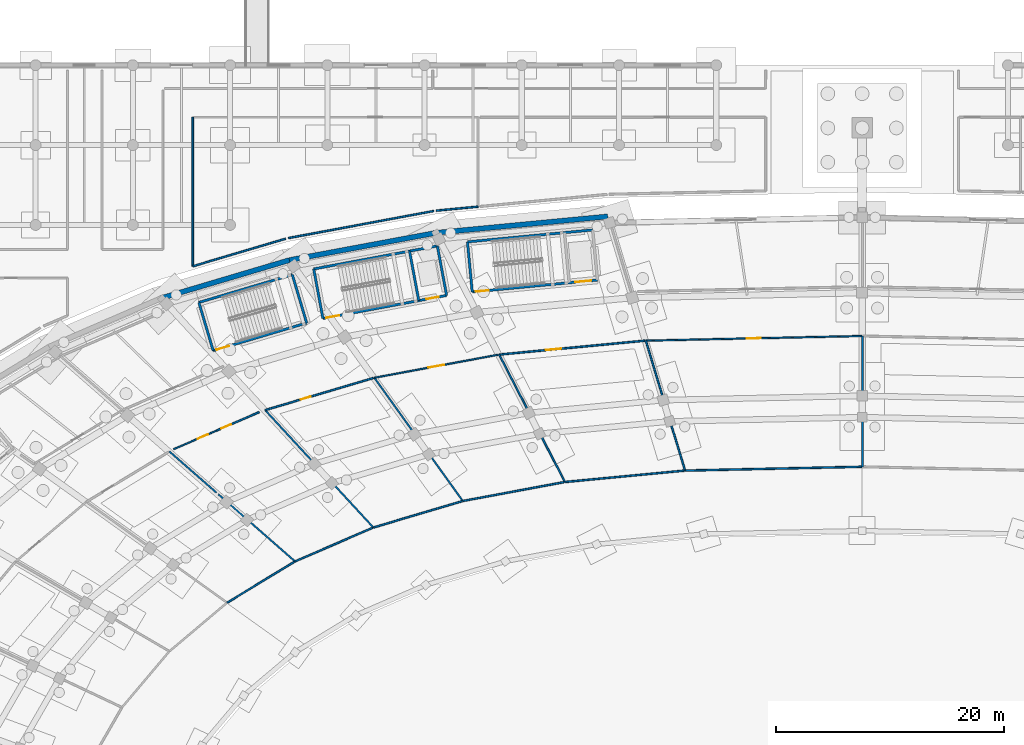
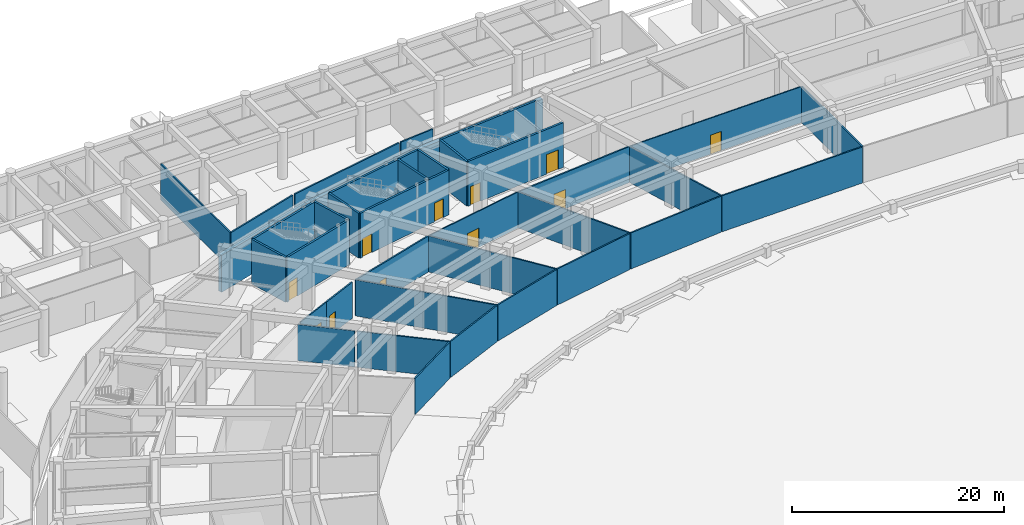
# One storey, part 58 of 88: 38 walls, 11 doors, 11 openings.
"""IFC4 building model written with IfcOpenShell, lengths in metres."""

from ifc_helpers import new_model, si_unit, direction, frame, frame_2d, origin, place, context, subcontext, project, spatial, rectangle, extrude, material, layer, layer_set, type_object, element, fill, save


model = new_model("IFC4")

# Units and contexts
model_context = context("Model", 3, precision=1e-05, world=origin(), true_north=direction((0.0, 1.0)))
body_context = subcontext(model_context, "Body", "Model", "MODEL_VIEW")
ifc_project = project(units=[si_unit("LENGTHUNIT", "METRE"), si_unit("AREAUNIT", "SQUARE_METRE"), si_unit("VOLUMEUNIT", "CUBIC_METRE"), si_unit("PLANEANGLEUNIT", "RADIAN"), si_unit("MASSUNIT", "GRAM", prefix="KILO")], contexts=[model_context])

# Site, building, storey
site_placement = place(None, origin())
site = spatial("IfcSite", under=ifc_project, at=site_placement, CompositionType="ELEMENT")
building_placement = place(site_placement, origin())
building = spatial("IfcBuilding", under=site, at=building_placement, Name="Mphavela Belvedere Stadium", CompositionType="ELEMENT")
storey_placement = place(building_placement, origin())
storey = spatial("IfcBuildingStorey", under=building, at=storey_placement, Name="L00", CompositionType="ELEMENT", Elevation=0.0)

# Walls
ifc_material_1 = material(Name="Concrete C40/50", Category="concrete")
ifc_layer_1 = layer(ifc_material_1, 0.219970703125)
ifc_layer_set_1 = layer_set([ifc_layer_1], Name="Concrete C40/50")
wall_type_1 = type_object("IfcWallType", Name="WAL-CORE-SHEAR-220", PredefinedType="SHEAR", material=ifc_layer_set_1)
wall_1_placement = place(storey_placement, frame((66.955322265625, 156.146728515625, 0.0), z_axis=(0.0, 0.0, 1.0), x_axis=(0.983093434234, 0.183104613723, 0.0)))
element("IfcWall", 1, at=wall_1_placement, inside=storey, type_object=wall_type_1, Name="Core C02 shear wall L00 rear", PredefinedType="SHEAR", context=body_context, shape_type="SweptSolid", body=[
    extrude(rectangle(XDim=11.02001953125, YDim=0.219970703125, at=frame_2d((5.510009765625, 0.0))), origin(), (0.0, 0.0, 1.0), 5.14990234375),
])
for number, where, z_axis, x_axis, name in (
    (2, (67.7626953125, 151.811279296875, 0.0), (0.0, 0.0, 1.0), (-0.183078394814, 0.983098317236, 0.0), "Core C02 shear wall L00 left"),
    (3, (78.596435546875, 153.8291015625, 0.0), (0.0, 0.0, 1.0), (-0.183078394814, 0.983098317236, 0.0), "Core C02 shear wall L00 right"),
):
    element("IfcWall", number, at=place(storey_placement, frame(where, z_axis=z_axis, x_axis=x_axis)), inside=storey, type_object=wall_type_1, Name=name, PredefinedType="SHEAR", context=body_context, shape_type="SweptSolid", body=[
        extrude(rectangle(XDim=4.409912109375, YDim=0.219970703125, at=frame_2d((2.205078125, 0.0))), origin(), (0.0, 0.0, 1.0), 5.14990234375),
    ])

# Wall, openings, doors
wall_2_placement = place(storey_placement, frame((67.7626953125, 151.811279296875, 0.0), z_axis=(0.0, 0.0, 1.0), x_axis=(0.983093434234, 0.183104613723, 0.0)))
wall_2 = element("IfcWall", 4, at=wall_2_placement, inside=storey, type_object=wall_type_1, Name="Core C02 shear wall L00 front", PredefinedType="SHEAR", context=body_context, shape_type="SweptSolid", body=[
    extrude(rectangle(XDim=11.02001953125, YDim=0.219970703125, at=frame_2d((5.510009765625, 0.0))), origin(), (0.0, 0.0, 1.0), 5.14990234375),
])
opening_1_placement = place(wall_2_placement, frame((0.300048828125, 0.0, 0.0)))
opening_1 = element("IfcOpeningElement", 5, at=opening_1_placement, cuts=wall_2, Name="Opening SD-006", PredefinedType="OPENING", context=body_context, shape_type="SweptSolid", body=[
    extrude(rectangle(XDim=1.14990234375, YDim=2.14990234375, at=frame_2d((0.574951171875, 1.074951171875))), frame((0.0, 0.1201171875, 0.0), z_axis=(0.0, -1.0, 0.0), x_axis=(1.0, 0.0, 0.0)), (0.0, 0.0, 1.0), 0.239990234375),
])
opening_2_placement = place(wall_2_placement, frame((9.22998046875, 0.0, 0.0)))
opening_2 = element("IfcOpeningElement", 6, at=opening_2_placement, cuts=wall_2, Name="Opening LD-006", PredefinedType="OPENING", context=body_context, shape_type="SweptSolid", body=[
    extrude(rectangle(XDim=1.10009765625, YDim=2.14990234375, at=frame_2d((0.550048828125, 1.074951171875))), frame((0.0, 0.1201171875, 0.0), z_axis=(0.0, -1.0, 0.0), x_axis=(1.0, 0.0, 0.0)), (0.0, 0.0, 1.0), 0.239990234375),
])
ifc_material_2 = material(Name="Stainless steel center-parting lift landing door", Category="steel")
door_type_1 = type_object("IfcDoorType", Name="DR-LIFT-SLIDE-1100", OperationType="NOTDEFINED", PredefinedType="DOOR", material=ifc_material_2)
door_1_placement = place(opening_2_placement, origin())
door_1 = element("IfcDoor", 7, at=door_1_placement, inside=storey, type_object=door_type_1, Name="Lift landing sliding door PL01 L00", OperationType="DOUBLE_DOOR_SLIDING", OverallHeight=2.14990234375, OverallWidth=1.10009765625, PredefinedType="DOOR", context=body_context, shape_type="SweptSolid", body=[
    extrude(rectangle(XDim=1.10009765625, YDim=2.14990234375, at=frame_2d((0.550048828125, 1.074951171875))), frame((0.0, 0.02490234375, 0.0), z_axis=(0.0, -1.0, 0.0), x_axis=(1.0, 0.0, 0.0)), (0.0, 0.0, 1.0), 0.050048828125),
])
fill(opening_2, door_1)
ifc_material_3 = material(Name="Steel acoustic fire-resisting stair doorset", Category="steel")
door_type_2 = type_object("IfcDoorType", Name="DR-STAIR-FIRE-1150", OperationType="NOTDEFINED", PredefinedType="DOOR", material=ifc_material_3)
door_2_placement = place(opening_1_placement, origin())
door_2 = element("IfcDoor", 8, at=door_2_placement, inside=storey, type_object=door_type_2, Name="Escape stair fire door C02 L00", OperationType="SINGLE_SWING_LEFT", OverallHeight=2.14990234375, OverallWidth=1.14990234375, PredefinedType="DOOR", context=body_context, shape_type="SweptSolid", body=[
    extrude(rectangle(XDim=1.14990234375, YDim=2.14990234375, at=frame_2d((0.574951171875, 1.074951171875))), frame((0.0, 0.02490234375, 0.0), z_axis=(0.0, -1.0, 0.0), x_axis=(1.0, 0.0, 0.0)), (0.0, 0.0, 1.0), 0.050048828125),
])
fill(opening_1, door_2)

# Walls
wall_3_placement = place(storey_placement, frame((76.158447265625, 153.375, 0.0), z_axis=(0.0, 0.0, 1.0), x_axis=(-0.183078394814, 0.983098317236, 0.0)))
element("IfcWall", 9, at=wall_3_placement, inside=storey, type_object=wall_type_1, Name="Core C02 shear wall L00 div", PredefinedType="SHEAR", context=body_context, shape_type="SweptSolid", body=[
    extrude(rectangle(XDim=4.409912109375, YDim=0.219970703125, at=frame_2d((2.205078125, 0.0))), origin(), (0.0, 0.0, 1.0), 5.14990234375),
])
wall_4_placement = place(storey_placement, frame((80.424072265625, 158.5205078125, 0.0), z_axis=(0.0, 0.0, 1.0), x_axis=(0.99547962713, 0.094975322952, 0.0)))
element("IfcWall", 10, at=wall_4_placement, inside=storey, type_object=wall_type_1, Name="Core C04 shear wall L00 rear", PredefinedType="SHEAR", context=body_context, shape_type="SweptSolid", body=[
    extrude(rectangle(XDim=11.02001953125, YDim=0.219970703125, at=frame_2d((5.510009765625, 0.0))), origin(), (0.0, 0.0, 1.0), 5.14990234375),
])
wall_5_placement = place(storey_placement, frame((80.843017578125, 154.13037109375, 0.0), z_axis=(0.0, 0.0, 1.0), x_axis=(-0.094997189401, 0.995477540684, 0.0)))
element("IfcWall", 11, at=wall_5_placement, inside=storey, type_object=wall_type_1, Name="Core C04 shear wall L00 left", PredefinedType="SHEAR", context=body_context, shape_type="SweptSolid", body=[
    extrude(rectangle(XDim=4.41015625, YDim=0.219970703125, at=frame_2d((2.205078125, 0.0))), origin(), (0.0, 0.0, 1.0), 5.14990234375),
])

# Wall, openings, doors
wall_6_placement = place(storey_placement, frame((80.843017578125, 154.13037109375, 0.0), z_axis=(0.0, 0.0, 1.0), x_axis=(0.995479427285, 0.094977417594, 0.0)))
wall_6 = element("IfcWall", 12, at=wall_6_placement, inside=storey, type_object=wall_type_1, Name="Core C04 shear wall L00 front", PredefinedType="SHEAR", context=body_context, shape_type="SweptSolid", body=[
    extrude(rectangle(XDim=11.019775390625, YDim=0.219970703125, at=frame_2d((5.509765625, 0.0))), origin(), (0.0, 0.0, 1.0), 5.14990234375),
])
opening_3_placement = place(wall_6_placement, frame((0.300048828125, 0.0, 0.0)))
opening_3 = element("IfcOpeningElement", 13, at=opening_3_placement, cuts=wall_6, Name="Opening SD-016", PredefinedType="OPENING", context=body_context, shape_type="SweptSolid", body=[
    extrude(rectangle(XDim=1.14990234375, YDim=2.14990234375, at=frame_2d((0.574951171875, 1.074951171875))), frame((0.0, 0.1201171875, 0.0), z_axis=(0.0, -1.0, 0.0), x_axis=(1.0, 0.0, 0.0)), (0.0, 0.0, 1.0), 0.239990234375),
])
opening_4_placement = place(wall_6_placement, frame((9.080078125, 0.0, 0.0)))
opening_4 = element("IfcOpeningElement", 14, at=opening_4_placement, cuts=wall_6, Name="Opening LD-016", PredefinedType="OPENING", context=body_context, shape_type="SweptSolid", body=[
    extrude(rectangle(XDim=1.39990234375, YDim=2.25, at=frame_2d((0.699951171875, 1.125))), frame((0.0, 0.1201171875, 0.0), z_axis=(0.0, -1.0, 0.0), x_axis=(1.0, 0.0, 0.0)), (0.0, 0.0, 1.0), 0.239990234375),
])
ifc_material_4 = material(Name="Heavy-duty stainless steel goods lift landing door", Category="steel")
door_type_3 = type_object("IfcDoorType", Name="DR-LIFT-SLIDE-1400", OperationType="NOTDEFINED", PredefinedType="DOOR", material=ifc_material_4)
door_3_placement = place(opening_4_placement, origin())
door_3 = element("IfcDoor", 15, at=door_3_placement, inside=storey, type_object=door_type_3, Name="Lift landing sliding door GL01 L00", OperationType="DOUBLE_DOOR_SLIDING", OverallHeight=2.25, OverallWidth=1.39990234375, PredefinedType="DOOR", context=body_context, shape_type="SweptSolid", body=[
    extrude(rectangle(XDim=1.39990234375, YDim=2.25, at=frame_2d((0.699951171875, 1.125))), frame((0.0, 0.02490234375, 0.0), z_axis=(0.0, -1.0, 0.0), x_axis=(1.0, 0.0, 0.0)), (0.0, 0.0, 1.0), 0.050048828125),
])
fill(opening_4, door_3)
door_4_placement = place(opening_3_placement, origin())
door_4 = element("IfcDoor", 16, at=door_4_placement, inside=storey, type_object=door_type_2, Name="Escape stair fire door C04 L00", OperationType="SINGLE_SWING_RIGHT", OverallHeight=2.14990234375, OverallWidth=1.14990234375, PredefinedType="DOOR", context=body_context, shape_type="SweptSolid", body=[
    extrude(rectangle(XDim=1.14990234375, YDim=2.14990234375, at=frame_2d((0.574951171875, 1.074951171875))), frame((0.0, 0.02490234375, 0.0), z_axis=(0.0, -1.0, 0.0), x_axis=(1.0, 0.0, 0.0)), (0.0, 0.0, 1.0), 0.050048828125),
])
fill(opening_3, door_4)

# Walls
wall_7_placement = place(storey_placement, frame((56.89501953125, 153.214111328125, 0.0), z_axis=(0.0, 0.0, 1.0), x_axis=(0.958675743706, 0.284500998997, 0.0)))
element("IfcWall", 17, at=wall_7_placement, inside=storey, type_object=wall_type_1, Name="Core P03 shear wall L00 rear", PredefinedType="SHEAR", context=body_context, shape_type="SweptSolid", body=[
    extrude(rectangle(XDim=8.540283203125, YDim=0.219970703125, at=frame_2d((4.27001953125, 0.0))), origin(), (0.0, 0.0, 1.0), 5.14990234375),
])
wall_8_placement = place(storey_placement, frame((58.14990234375, 148.986083984375, 0.0), z_axis=(0.0, 0.0, 1.0), x_axis=(-0.284533106789, 0.958666214665, 0.0)))
element("IfcWall", 18, at=wall_8_placement, inside=storey, type_object=wall_type_1, Name="Core P03 shear wall L00 left", PredefinedType="SHEAR", context=body_context, shape_type="SweptSolid", body=[
    extrude(rectangle(XDim=4.410400390625, YDim=0.219970703125, at=frame_2d((2.205078125, 0.0))), origin(), (0.0, 0.0, 1.0), 5.14990234375),
])
wall_9_placement = place(storey_placement, frame((66.3369140625, 151.416015625, 0.0), z_axis=(0.0, 0.0, 1.0), x_axis=(-0.284497328872, 0.958676832861, 0.0)))
element("IfcWall", 19, at=wall_9_placement, inside=storey, type_object=wall_type_1, Name="Core P03 shear wall L00 right", PredefinedType="SHEAR", context=body_context, shape_type="SweptSolid", body=[
    extrude(rectangle(XDim=4.409912109375, YDim=0.219970703125, at=frame_2d((2.205078125, 0.0))), origin(), (0.0, 0.0, 1.0), 5.14990234375),
])

# Wall, opening, door
wall_10_placement = place(storey_placement, frame((58.14990234375, 148.986083984375, 0.0), z_axis=(0.0, 0.0, 1.0), x_axis=(0.958665631999, 0.284535069937, 0.0)))
wall_10 = element("IfcWall", 20, at=wall_10_placement, inside=storey, type_object=wall_type_1, Name="Core P03 shear wall L00 front", PredefinedType="SHEAR", context=body_context, shape_type="SweptSolid", body=[
    extrude(rectangle(XDim=8.5400390625, YDim=0.219970703125, at=frame_2d((4.27001953125, 0.0))), origin(), (0.0, 0.0, 1.0), 5.14990234375),
])
opening_5_placement = place(wall_10_placement, frame((0.300048828125, 0.0, 0.0)))
opening_5 = element("IfcOpeningElement", 21, at=opening_5_placement, cuts=wall_10, Name="Opening SD-077", PredefinedType="OPENING", context=body_context, shape_type="SweptSolid", body=[
    extrude(rectangle(XDim=1.14990234375, YDim=2.14990234375, at=frame_2d((0.574951171875, 1.074951171875))), frame((0.0, 0.1201171875, 0.0), z_axis=(0.0, -1.0, 0.0), x_axis=(1.0, 0.0, 0.0)), (0.0, 0.0, 1.0), 0.239990234375),
])
door_5_placement = place(opening_5_placement, origin())
door_5 = element("IfcDoor", 22, at=door_5_placement, inside=storey, type_object=door_type_2, Name="Escape stair fire door P03 L00", OperationType="SINGLE_SWING_LEFT", OverallHeight=2.14990234375, OverallWidth=1.14990234375, PredefinedType="DOOR", context=body_context, shape_type="SweptSolid", body=[
    extrude(rectangle(XDim=1.14990234375, YDim=2.14990234375, at=frame_2d((0.574951171875, 1.074951171875))), frame((0.0, 0.02490234375, 0.0), z_axis=(0.0, -1.0, 0.0), x_axis=(1.0, 0.0, 0.0)), (0.0, 0.0, 1.0), 0.050048828125),
])
fill(opening_5, door_5)

ifc_material_5 = material(Name="Moisture-resistant sanitary partition assembly")
ifc_layer_2 = layer(ifc_material_5, 0.125)
ifc_layer_set_2 = layer_set([ifc_layer_2], Name="Moisture-resistant sanitary partition assembly")
wall_type_2 = type_object("IfcWallType", Name="WAL-PART-125", PredefinedType="PARTITIONING", material=ifc_layer_set_2)
wall_11_placement = place(storey_placement, frame((96.04736328125, 149.866455078125, 0.0), z_axis=(0.0, 0.0, 1.0), x_axis=(0.999768266483, 0.021527037261, 0.0)))
wall_11 = element("IfcWall", 23, at=wall_11_placement, inside=storey, type_object=wall_type_2, Name="Room L00-66 corridor partition", PredefinedType="PARTITIONING", context=body_context, shape_type="SweptSolid", body=[
    extrude(rectangle(XDim=18.9169921875, YDim=0.125, at=frame_2d((9.45849609375, 0.0))), origin(), (0.0, 0.0, 1.0), 4.14990234375),
])
opening_6_placement = place(wall_11_placement, frame((8.848388671875, 0.0, 0.0)))
opening_6 = element("IfcOpeningElement", 24, at=opening_6_placement, cuts=wall_11, Name="Opening ID-021", PredefinedType="OPENING", context=body_context, shape_type="SweptSolid", body=[
    extrude(rectangle(XDim=1.219970703125, YDim=2.199951171875, at=frame_2d((0.60986328125, 1.10009765625))), frame((0.0, 0.072509765625, 0.0), z_axis=(0.0, -1.0, 0.0), x_axis=(1.0, 0.0, 0.0)), (0.0, 0.0, 1.0), 0.14501953125),
])
ifc_material_6 = material(Name="Hardwood acoustic timber doorset", Category="wood")
door_type_4 = type_object("IfcDoorType", Name="DR-INT-21", OperationType="NOTDEFINED", PredefinedType="DOOR", material=ifc_material_6)
door_6_placement = place(opening_6_placement, origin())
door_6 = element("IfcDoor", 25, at=door_6_placement, inside=storey, type_object=door_type_4, Name="Room L00-66 entrance door ID-021", OperationType="SINGLE_SWING_LEFT", OverallHeight=2.199951171875, OverallWidth=1.219970703125, PredefinedType="DOOR", context=body_context, shape_type="SweptSolid", body=[
    extrude(rectangle(XDim=1.219970703125, YDim=2.199951171875, at=frame_2d((0.60986328125, 1.10009765625))), frame((0.0, 0.02490234375, 0.0), z_axis=(0.0, -1.0, 0.0), x_axis=(1.0, 0.0, 0.0)), (0.0, 0.0, 1.0), 0.050048828125),
])
fill(opening_6, door_6)

wall_12_placement = place(storey_placement, frame((72.268310546875, 146.6142578125, 0.0), z_axis=(0.0, 0.0, 1.0), x_axis=(0.983097372707, 0.183083466695, 0.0)))
wall_12 = element("IfcWall", 26, at=wall_12_placement, inside=storey, type_object=wall_type_2, Name="Room L00-71 corridor partition", PredefinedType="PARTITIONING", context=body_context, shape_type="SweptSolid", body=[
    extrude(rectangle(XDim=11.03466796875, YDim=0.125, at=frame_2d((5.517333984375, 0.0))), origin(), (0.0, 0.0, 1.0), 4.14990234375),
])
opening_7_placement = place(wall_12_placement, frame((4.8173828125, 0.0, 0.0)))
opening_7 = element("IfcOpeningElement", 27, at=opening_7_placement, cuts=wall_12, Name="Opening ID-024", PredefinedType="OPENING", context=body_context, shape_type="SweptSolid", body=[
    extrude(rectangle(XDim=1.39990234375, YDim=2.199951171875, at=frame_2d((0.699951171875, 1.10009765625))), frame((0.0, 0.072509765625, 0.0), z_axis=(0.0, -1.0, 0.0), x_axis=(1.0, 0.0, 0.0)), (0.0, 0.0, 1.0), 0.14501953125),
])
ifc_material_7 = material(Name="Hardwood acoustic timber doorset", Category="wood")
door_type_5 = type_object("IfcDoorType", Name="DR-INT-24", OperationType="NOTDEFINED", PredefinedType="DOOR", material=ifc_material_7)
door_7_placement = place(opening_7_placement, origin())
door_7 = element("IfcDoor", 28, at=door_7_placement, inside=storey, type_object=door_type_5, Name="Room L00-71 entrance door ID-024", OperationType="SINGLE_SWING_RIGHT", OverallHeight=2.199951171875, OverallWidth=1.39990234375, PredefinedType="DOOR", context=body_context, shape_type="SweptSolid", body=[
    extrude(rectangle(XDim=1.39990234375, YDim=2.199951171875, at=frame_2d((0.699951171875, 1.10009765625))), frame((0.0, 0.02490234375, 0.0), z_axis=(0.0, -1.0, 0.0), x_axis=(1.0, 0.0, 0.0)), (0.0, 0.0, 1.0), 0.050048828125),
])
fill(opening_7, door_7)

wall_13_placement = place(storey_placement, frame((58.434814453125, 141.983154296875, 0.0), z_axis=(0.0, 0.0, 1.0), x_axis=(-0.917504086034, -0.397726353303, 0.0)))
wall_13 = element("IfcWall", 29, at=wall_13_placement, inside=storey, type_object=wall_type_2, Name="Room L00-76 corridor partition", PredefinedType="PARTITIONING", context=body_context, shape_type="SweptSolid", body=[
    extrude(rectangle(XDim=4.090576171875, YDim=0.125, at=frame_2d((2.04541015625, 0.0))), origin(), (0.0, 0.0, 1.0), 4.14990234375),
])
opening_8_placement = place(wall_13_placement, frame((0.814208984375, 0.0, 0.0)))
opening_8 = element("IfcOpeningElement", 30, at=opening_8_placement, cuts=wall_13, Name="Opening ID-027", PredefinedType="OPENING", context=body_context, shape_type="SweptSolid", body=[
    extrude(rectangle(XDim=0.97998046875, YDim=2.300048828125, at=frame_2d((0.489990234375, 1.14990234375))), frame((0.0, 0.072509765625, 0.0), z_axis=(0.0, -1.0, 0.0), x_axis=(1.0, 0.0, 0.0)), (0.0, 0.0, 1.0), 0.14501953125),
])
ifc_material_8 = material(Name="Hardwood acoustic timber doorset", Category="wood")
door_type_6 = type_object("IfcDoorType", Name="DR-INT-27", OperationType="NOTDEFINED", PredefinedType="DOOR", material=ifc_material_8)
door_8_placement = place(opening_8_placement, origin())
door_8 = element("IfcDoor", 31, at=door_8_placement, inside=storey, type_object=door_type_6, Name="Room L00-76 entrance door ID-027", OperationType="SINGLE_SWING_LEFT", OverallHeight=2.300048828125, OverallWidth=0.97998046875, PredefinedType="DOOR", context=body_context, shape_type="SweptSolid", body=[
    extrude(rectangle(XDim=0.97998046875, YDim=2.300048828125, at=frame_2d((0.489990234375, 1.14990234375))), frame((0.0, 0.02490234375, 0.0), z_axis=(0.0, -1.0, 0.0), x_axis=(1.0, 0.0, 0.0)), (0.0, 0.0, 1.0), 0.050048828125),
])
fill(opening_8, door_8)

ifc_material_9 = material(Name="Acoustic gypsum stud partition assembly")
ifc_layer_3 = layer(ifc_material_9, 0.14990234375)
ifc_layer_set_3 = layer_set([ifc_layer_3], Name="Acoustic gypsum stud partition assembly")
wall_type_3 = type_object("IfcWallType", Name="WAL-PART-150", PredefinedType="PARTITIONING", material=ifc_layer_set_3)
wall_14_placement = place(storey_placement, frame((83.200927734375, 148.645263671875, 0.0), z_axis=(0.0, 0.0, 1.0), x_axis=(0.995485111947, 0.094917816515, 0.0)))
wall_14 = element("IfcWall", 32, at=wall_14_placement, inside=storey, type_object=wall_type_3, Name="Room L00-69 corridor partition", PredefinedType="PARTITIONING", context=body_context, shape_type="SweptSolid", body=[
    extrude(rectangle(XDim=12.822021484375, YDim=0.14990234375, at=frame_2d((6.4111328125, 0.0))), origin(), (0.0, 0.0, 1.0), 4.14990234375),
])
opening_9_placement = place(wall_14_placement, frame((4.12158203125, 0.0, 0.0)))
opening_9 = element("IfcOpeningElement", 33, at=opening_9_placement, cuts=wall_14, Name="Opening ID-023", PredefinedType="OPENING", context=body_context, shape_type="SweptSolid", body=[
    extrude(rectangle(XDim=1.320068359375, YDim=2.199951171875, at=frame_2d((0.66015625, 1.10009765625))), frame((0.0, 0.0849609375, 0.0), z_axis=(0.0, -1.0, 0.0), x_axis=(1.0, 0.0, 0.0)), (0.0, 0.0, 1.0), 0.169921875),
])
ifc_material_10 = material(Name="Hardwood acoustic timber doorset", Category="wood")
door_type_7 = type_object("IfcDoorType", Name="DR-INT-23", OperationType="NOTDEFINED", PredefinedType="DOOR", material=ifc_material_10)
door_9_placement = place(opening_9_placement, origin())
door_9 = element("IfcDoor", 34, at=door_9_placement, inside=storey, type_object=door_type_7, Name="Room L00-69 entrance door ID-023", OperationType="SINGLE_SWING_LEFT", OverallHeight=2.199951171875, OverallWidth=1.320068359375, PredefinedType="DOOR", context=body_context, shape_type="SweptSolid", body=[
    extrude(rectangle(XDim=1.320068359375, YDim=2.199951171875, at=frame_2d((0.66015625, 1.10009765625))), frame((0.0, 0.02490234375, 0.0), z_axis=(0.0, -1.0, 0.0), x_axis=(1.0, 0.0, 0.0)), (0.0, 0.0, 1.0), 0.050048828125),
])
fill(opening_9, door_9)

wall_15_placement = place(storey_placement, frame((62.701171875, 143.781005859375, 0.0), z_axis=(0.0, 0.0, 1.0), x_axis=(0.958655809656, 0.284568161629, 0.0)))
wall_15 = element("IfcWall", 35, at=wall_15_placement, inside=storey, type_object=wall_type_3, Name="Room L00-73 corridor partition", PredefinedType="PARTITIONING", context=body_context, shape_type="SweptSolid", body=[
    extrude(rectangle(XDim=9.89111328125, YDim=0.14990234375, at=frame_2d((4.945556640625, 0.0))), origin(), (0.0, 0.0, 1.0), 4.14990234375),
])
opening_10_placement = place(wall_15_placement, frame((3.242919921875, 0.0, 0.0)))
opening_10 = element("IfcOpeningElement", 36, at=opening_10_placement, cuts=wall_15, Name="Opening ID-025", PredefinedType="OPENING", context=body_context, shape_type="SweptSolid", body=[
    extrude(rectangle(XDim=0.89990234375, YDim=2.300048828125, at=frame_2d((0.449951171875, 1.14990234375))), frame((0.0, 0.0849609375, 0.0), z_axis=(0.0, -1.0, 0.0), x_axis=(1.0, 0.0, 0.0)), (0.0, 0.0, 1.0), 0.169921875),
])
ifc_material_11 = material(Name="Hardwood acoustic timber doorset", Category="wood")
door_type_8 = type_object("IfcDoorType", Name="DR-INT-25", OperationType="NOTDEFINED", PredefinedType="DOOR", material=ifc_material_11)
door_10_placement = place(opening_10_placement, origin())
door_10 = element("IfcDoor", 37, at=door_10_placement, inside=storey, type_object=door_type_8, Name="Room L00-73 entrance door ID-025", OperationType="SINGLE_SWING_LEFT", OverallHeight=2.300048828125, OverallWidth=0.89990234375, PredefinedType="DOOR", context=body_context, shape_type="SweptSolid", body=[
    extrude(rectangle(XDim=0.89990234375, YDim=2.300048828125, at=frame_2d((0.449951171875, 1.14990234375))), frame((0.0, 0.02490234375, 0.0), z_axis=(0.0, -1.0, 0.0), x_axis=(1.0, 0.0, 0.0)), (0.0, 0.0, 1.0), 0.050048828125),
])
fill(opening_10, door_10)

wall_16_placement = place(storey_placement, frame((62.187744140625, 143.610107421875, 0.0), z_axis=(0.0, 0.0, 1.0), x_axis=(-0.917494644255, -0.397748133575, 0.0)))
wall_16 = element("IfcWall", 38, at=wall_16_placement, inside=storey, type_object=wall_type_3, Name="Room L00-75 corridor partition", PredefinedType="PARTITIONING", context=body_context, shape_type="SweptSolid", body=[
    extrude(rectangle(XDim=4.09033203125, YDim=0.14990234375, at=frame_2d((2.045166015625, 0.0))), origin(), (0.0, 0.0, 1.0), 4.14990234375),
])
opening_11_placement = place(wall_16_placement, frame((2.705078125, 0.0, 0.0)))
opening_11 = element("IfcOpeningElement", 39, at=opening_11_placement, cuts=wall_16, Name="Opening ID-026", PredefinedType="OPENING", context=body_context, shape_type="SweptSolid", body=[
    extrude(rectangle(XDim=0.93994140625, YDim=2.300048828125, at=frame_2d((0.469970703125, 1.14990234375))), frame((0.0, 0.0849609375, 0.0), z_axis=(0.0, -1.0, 0.0), x_axis=(1.0, 0.0, 0.0)), (0.0, 0.0, 1.0), 0.169921875),
])
ifc_material_12 = material(Name="Hardwood acoustic timber doorset", Category="wood")
door_type_9 = type_object("IfcDoorType", Name="DR-INT-26", OperationType="NOTDEFINED", PredefinedType="DOOR", material=ifc_material_12)
door_11_placement = place(opening_11_placement, origin())
door_11 = element("IfcDoor", 40, at=door_11_placement, inside=storey, type_object=door_type_9, Name="Room L00-75 entrance door ID-026", OperationType="SINGLE_SWING_RIGHT", OverallHeight=2.300048828125, OverallWidth=0.93994140625, PredefinedType="DOOR", context=body_context, shape_type="SweptSolid", body=[
    extrude(rectangle(XDim=0.93994140625, YDim=2.300048828125, at=frame_2d((0.469970703125, 1.14990234375))), frame((0.0, 0.02490234375, 0.0), z_axis=(0.0, -1.0, 0.0), x_axis=(1.0, 0.0, 0.0)), (0.0, 0.0, 1.0), 0.050048828125),
])
fill(opening_11, door_11)

# Walls
wall_17_placement = place(storey_placement, frame((115.0400390625, 138.816650390625, 0.0), z_axis=(0.0, 0.0, 1.0), x_axis=(0.0, 1.0, 0.0)))
element("IfcWall", 41, at=wall_17_placement, inside=storey, type_object=wall_type_3, Name="Room divider partition L00-0035", PredefinedType="PARTITIONING", context=body_context, shape_type="SweptSolid", body=[
    extrude(rectangle(XDim=11.45703125, YDim=0.14990234375, at=frame_2d((5.728515625, 0.0))), origin(), (0.0, 0.0, 1.0), 4.14990234375),
])
wall_18_placement = place(storey_placement, frame((114.9599609375, 138.816650390625, 0.0), z_axis=(0.0, 0.0, 1.0), x_axis=(-0.999768149952, -0.021532448558, 0.0)))
element("IfcWall", 42, at=wall_18_placement, inside=storey, type_object=wall_type_3, Name="Room divider partition L00-0038", PredefinedType="PARTITIONING", context=body_context, shape_type="SweptSolid", body=[
    extrude(rectangle(XDim=15.476806640625, YDim=0.14990234375, at=frame_2d((7.73828125, 0.0))), origin(), (0.0, 0.0, 1.0), 4.14990234375),
])
wall_19_placement = place(storey_placement, frame((99.48681640625, 138.4833984375, 0.0), z_axis=(0.0, 0.0, 1.0), x_axis=(-0.289240317571, 0.957256516662, 0.0)))
element("IfcWall", 43, at=wall_19_placement, inside=storey, type_object=wall_type_3, Name="Room divider partition L00-0039", PredefinedType="PARTITIONING", context=body_context, shape_type="SweptSolid", body=[
    extrude(rectangle(XDim=11.891357421875, YDim=0.14990234375, at=frame_2d((5.94580078125, 0.0))), origin(), (0.0, 0.0, 1.0), 4.14990234375),
])
wall_20_placement = place(storey_placement, frame((99.40478515625, 138.47802734375, 0.0), z_axis=(0.0, 0.0, 1.0), x_axis=(-0.99548363917, -0.094933261529, 0.0)))
element("IfcWall", 44, at=wall_20_placement, inside=storey, type_object=wall_type_3, Name="Room divider partition L00-0041", PredefinedType="PARTITIONING", context=body_context, shape_type="SweptSolid", body=[
    extrude(rectangle(XDim=10.48486328125, YDim=0.14990234375, at=frame_2d((5.242431640625, 0.0))), origin(), (0.0, 0.0, 1.0), 4.14990234375),
])
wall_21_placement = place(storey_placement, frame((88.96728515625, 137.482666015625, 0.0), z_axis=(0.0, 0.0, 1.0), x_axis=(-0.458958189589, 0.888457866311, 0.0)))
element("IfcWall", 45, at=wall_21_placement, inside=storey, type_object=wall_type_3, Name="Room divider partition L00-0042", PredefinedType="PARTITIONING", context=body_context, shape_type="SweptSolid", body=[
    extrude(rectangle(XDim=12.56396484375, YDim=0.14990234375, at=frame_2d((6.281982421875, 0.0))), origin(), (0.0, 0.0, 1.0), 4.14990234375),
])
wall_22_placement = place(storey_placement, frame((88.8837890625, 137.4697265625, 0.0), z_axis=(0.0, 0.0, 1.0), x_axis=(-0.983094830755, -0.183097115603, 0.0)))
element("IfcWall", 46, at=wall_22_placement, inside=storey, type_object=wall_type_3, Name="Room divider partition L00-0043", PredefinedType="PARTITIONING", context=body_context, shape_type="SweptSolid", body=[
    extrude(rectangle(XDim=9.0205078125, YDim=0.14990234375, at=frame_2d((4.51025390625, 0.0))), origin(), (0.0, 0.0, 1.0), 4.14990234375),
])
wall_23_placement = place(storey_placement, frame((80.015869140625, 135.818115234375, 0.0), z_axis=(0.0, 0.0, 1.0), x_axis=(-0.583032067708, 0.812449141808, 0.0)))
element("IfcWall", 47, at=wall_23_placement, inside=storey, type_object=wall_type_3, Name="Room divider partition L00-0044", PredefinedType="PARTITIONING", context=body_context, shape_type="SweptSolid", body=[
    extrude(rectangle(XDim=13.288330078125, YDim=0.14990234375, at=frame_2d((6.64404296875, 0.0))), origin(), (0.0, 0.0, 1.0), 4.14990234375),
])
wall_24_placement = place(storey_placement, frame((79.932861328125, 135.79638671875, 0.0), z_axis=(0.0, 0.0, 1.0), x_axis=(-0.958664246127, -0.284539739226, 0.0)))
element("IfcWall", 48, at=wall_24_placement, inside=storey, type_object=wall_type_3, Name="Room divider partition L00-0045", PredefinedType="PARTITIONING", context=body_context, shape_type="SweptSolid", body=[
    extrude(rectangle(XDim=8.08349609375, YDim=0.14990234375, at=frame_2d((4.041748046875, 0.0))), origin(), (0.0, 0.0, 1.0), 4.14990234375),
])
wall_25_placement = place(storey_placement, frame((72.18359375, 133.496337890625, 0.0), z_axis=(0.0, 0.0, 1.0), x_axis=(-0.677850870133, 0.735199427271, 0.0)))
element("IfcWall", 49, at=wall_25_placement, inside=storey, type_object=wall_type_3, Name="Room divider partition L00-0046", PredefinedType="PARTITIONING", context=body_context, shape_type="SweptSolid", body=[
    extrude(rectangle(XDim=13.989013671875, YDim=0.14990234375, at=frame_2d((6.99462890625, 0.0))), origin(), (0.0, 0.0, 1.0), 4.14990234375),
])
wall_26_placement = place(storey_placement, frame((58.434814453125, 136.54931640625, 0.0), z_axis=(0.0, 0.0, 1.0), x_axis=(-0.752593271743, 0.658485662203, 0.0)))
element("IfcWall", 50, at=wall_26_placement, inside=storey, type_object=wall_type_3, Name="Room divider partition L00-0047", PredefinedType="PARTITIONING", context=body_context, shape_type="SweptSolid", body=[
    extrude(rectangle(XDim=5.473876953125, YDim=0.14990234375, at=frame_2d((2.73681640625, 0.0))), origin(), (0.0, 0.0, 1.0), 4.14990234375),
])
wall_27_placement = place(storey_placement, frame((65.31982421875, 130.5244140625, 0.0), z_axis=(0.0, 0.0, 1.0), x_axis=(-0.752559770496, 0.658523949322, 0.0)))
element("IfcWall", 51, at=wall_27_placement, inside=storey, type_object=wall_type_3, Name="Room divider partition L00-0048", PredefinedType="PARTITIONING", context=body_context, shape_type="SweptSolid", body=[
    extrude(rectangle(XDim=8.936279296875, YDim=0.14990234375, at=frame_2d((4.46826171875, 0.0))), origin(), (0.0, 0.0, 1.0), 4.14990234375),
])
wall_28_placement = place(storey_placement, frame((72.103515625, 133.465087890625, 0.0), z_axis=(0.0, 0.0, 1.0), x_axis=(-0.917502611666, -0.397729754463, 0.0)))
element("IfcWall", 52, at=wall_28_placement, inside=storey, type_object=wall_type_3, Name="Room divider partition L00-0049", PredefinedType="PARTITIONING", context=body_context, shape_type="SweptSolid", body=[
    extrude(rectangle(XDim=7.3935546875, YDim=0.14990234375, at=frame_2d((3.69677734375, 0.0))), origin(), (0.0, 0.0, 1.0), 4.14990234375),
])
wall_29_placement = place(storey_placement, frame((65.2451171875, 130.4833984375, 0.0), z_axis=(0.0, 0.0, 1.0), x_axis=(-0.8543356111, -0.519721717467, 0.0)))
element("IfcWall", 53, at=wall_29_placement, inside=storey, type_object=wall_type_3, Name="Room divider partition L00-0052", PredefinedType="PARTITIONING", context=body_context, shape_type="SweptSolid", body=[
    extrude(rectangle(XDim=6.878173828125, YDim=0.14990234375, at=frame_2d((3.43896484375, 0.0))), origin(), (0.0, 0.0, 1.0), 4.14990234375),
])
wall_30_placement = place(storey_placement, frame((77.469482421875, 161.22509765625, 0.0), z_axis=(0.0, 0.0, 1.0), x_axis=(-0.983094545276, -0.183098648406, 0.0)))
element("IfcWall", 54, at=wall_30_placement, inside=storey, type_object=wall_type_3, Name="Room divider partition L00-0914", PredefinedType="PARTITIONING", context=body_context, shape_type="SweptSolid", body=[
    extrude(rectangle(XDim=12.947265625, YDim=0.14990234375, at=frame_2d((6.4736328125, 0.0))), origin(), (0.0, 0.0, 1.0), 4.14990234375),
])
wall_31_placement = place(storey_placement, frame((64.4873046875, 158.79345703125, 0.0), z_axis=(0.0, 0.0, 1.0), x_axis=(-0.95866000112, -0.284554041006, 0.0)))
element("IfcWall", 55, at=wall_31_placement, inside=storey, type_object=wall_type_3, Name="Room divider partition L00-0915", PredefinedType="PARTITIONING", context=body_context, shape_type="SweptSolid", body=[
    extrude(rectangle(XDim=8.477783203125, YDim=0.14990234375, at=frame_2d((4.23876953125, 0.0))), origin(), (0.0, 0.0, 1.0), 4.14990234375),
])
wall_32_placement = place(storey_placement, frame((56.360107421875, 156.381103515625, 0.0), z_axis=(0.0, 0.0, 1.0), x_axis=(0.0, 1.0, 0.0)))
element("IfcWall", 56, at=wall_32_placement, inside=storey, type_object=wall_type_3, Name="Room divider partition L00-0916", PredefinedType="PARTITIONING", context=body_context, shape_type="SweptSolid", body=[
    extrude(rectangle(XDim=13.058837890625, YDim=0.14990234375, at=frame_2d((6.529296875, 0.0))), origin(), (0.0, 0.0, 1.0), 4.14990234375),
])
wall_33_placement = place(storey_placement, frame((81.35498046875, 161.605712890625, 0.0), z_axis=(0.0, 0.0, 1.0), x_axis=(-0.995481155674, -0.094959300221, 0.0)))
element("IfcWall", 57, at=wall_33_placement, inside=storey, type_object=wall_type_3, Name="Room divider partition L00-0918", PredefinedType="PARTITIONING", context=body_context, shape_type="SweptSolid", body=[
    extrude(rectangle(XDim=3.681640625, YDim=0.14990234375, at=frame_2d((1.8408203125, 0.0))), origin(), (0.0, 0.0, 1.0), 4.14990234375),
])
ifc_material_13 = material(Name="Concrete C40/50", Category="concrete")
ifc_layer_4 = layer(ifc_material_13, 0.449951171875)
ifc_layer_set_4 = layer_set([ifc_layer_4], Name="Concrete C40/50")
wall_type_4 = type_object("IfcWallType", Name="WALL-RETAINING-450", PredefinedType="USERDEFINED", material=ifc_layer_set_4)
wall_34_placement = place(storey_placement, frame((92.718505859375, 160.74609375, 0.0), z_axis=(0.0, 0.0, 1.0), x_axis=(-0.995485029846, -0.09491867758, 0.0)))
element("IfcWall", 58, at=wall_34_placement, inside=storey, type_object=wall_type_4, Name="Uphill earth-bank retaining wall 14", ObjectType="RETAININGWALL", PredefinedType="USERDEFINED", context=body_context, shape_type="SweptSolid", body=[
    extrude(rectangle(XDim=15.139404296875, YDim=0.449951171875, at=frame_2d((7.56982421875, 0.0))), origin(), (0.0, 0.0, 1.0), 4.25),
])
wall_35_placement = place(storey_placement, frame((77.6474609375, 159.30908203125, 0.0), z_axis=(0.0, 0.0, 1.0), x_axis=(-0.983095830164, -0.183091749443, 0.0)))
element("IfcWall", 59, at=wall_35_placement, inside=storey, type_object=wall_type_4, Name="Uphill earth-bank retaining wall 15", ObjectType="RETAININGWALL", PredefinedType="USERDEFINED", context=body_context, shape_type="SweptSolid", body=[
    extrude(rectangle(XDim=13.044921875, YDim=0.449951171875, at=frame_2d((6.5224609375, 0.0))), origin(), (0.0, 0.0, 1.0), 4.25),
])
wall_36_placement = place(storey_placement, frame((64.822998046875, 156.920654296875, 0.0), z_axis=(0.0, 0.0, 1.0), x_axis=(-0.958658691945, -0.284558451566, 0.0)))
element("IfcWall", 60, at=wall_36_placement, inside=storey, type_object=wall_type_4, Name="Uphill earth-bank retaining wall 16", ObjectType="RETAININGWALL", PredefinedType="USERDEFINED", context=body_context, shape_type="SweptSolid", body=[
    extrude(rectangle(XDim=11.704345703125, YDim=0.449951171875, at=frame_2d((5.85205078125, 0.0))), origin(), (0.0, 0.0, 1.0), 4.25),
])

save(model, "model.ifc")
